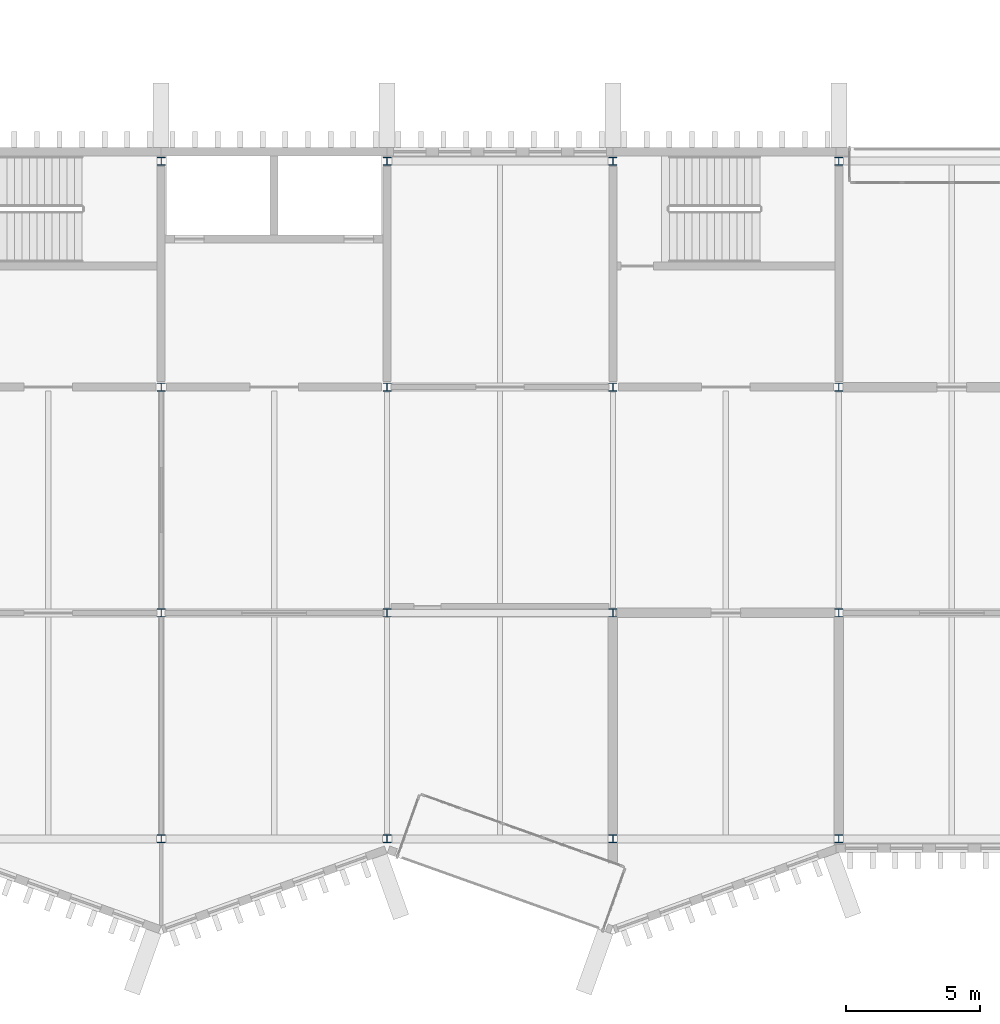
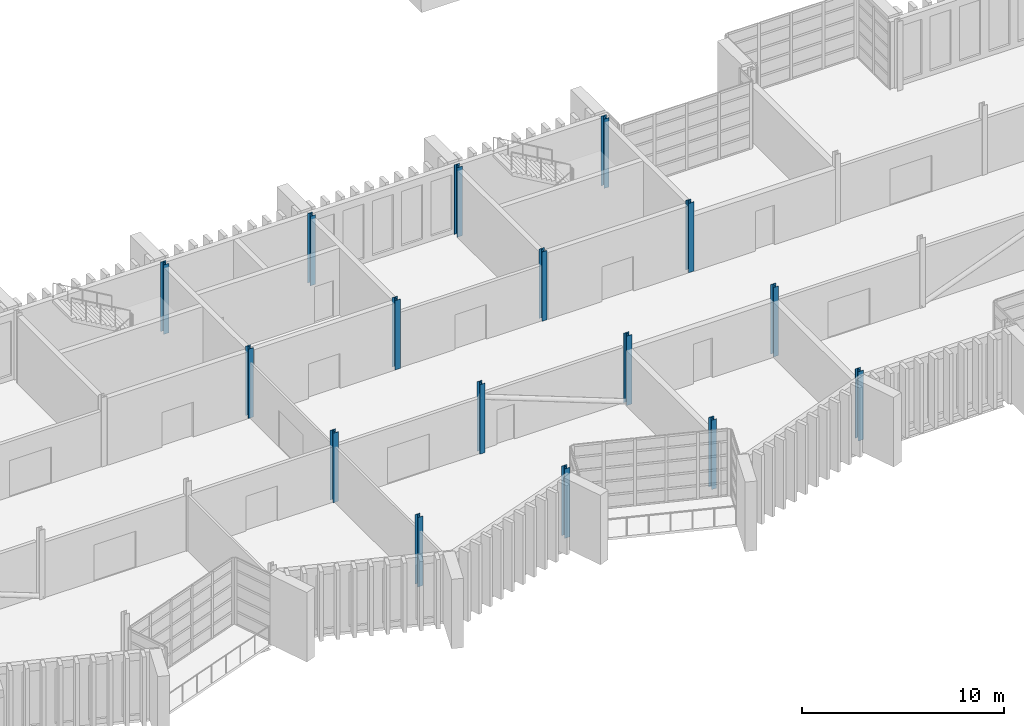
# One storey, part 2 of 100: 16 columns.
"""IFC4 building model written with IfcOpenShell, lengths in metres."""

from ifc_helpers import new_model, si_unit, direction, frame, origin, origin_2d, place, context, subcontext, project, spatial, i_section, extrude, material, material_profile, profile_set, type_object, element, save


model = new_model("IFC4")

# Units and contexts
model_context = context("Model", 3, precision=1e-05, world=origin(), true_north=direction((0.0, 1.0)))
body_context = subcontext(model_context, "Body", "Model", "MODEL_VIEW")
ifc_project = project(units=[si_unit("LENGTHUNIT", "METRE"), si_unit("AREAUNIT", "SQUARE_METRE"), si_unit("VOLUMEUNIT", "CUBIC_METRE"), si_unit("PLANEANGLEUNIT", "RADIAN"), si_unit("MASSUNIT", "GRAM", prefix="KILO")], contexts=[model_context])

# Site, building, storey
site_placement = place(None, origin())
site = spatial("IfcSite", under=ifc_project, at=site_placement, CompositionType="ELEMENT")
building_placement = place(site_placement, origin())
building = spatial("IfcBuilding", under=site, at=building_placement, Name="Cresset Court Congress Hotel", CompositionType="ELEMENT")
storey_placement = place(building_placement, frame((0.0, 0.0, 10.199951171875)))
storey = spatial("IfcBuildingStorey", under=building, at=storey_placement, Name="L02", CompositionType="ELEMENT", Elevation=10.199951171875)

# Columns
ifc_material = material(Name="Structural steel Q355B", Category="steel")
ifc_material_profile = material_profile(ifc_material, i_section(OverallWidth=0.300048828125, OverallDepth=0.300048828125, WebThickness=0.010009765625, FlangeThickness=0.014892578125, FilletRadius=0.012939453125, at=origin_2d()), Name="HW300x300x10x15")
ifc_profile_set = profile_set([ifc_material_profile], Name="Structural steel Q355B")
column_type = type_object("IfcColumnType", Name="Steel column HW300x300x10x15", PredefinedType="COLUMN", material=ifc_profile_set)
for number, where, z_axis, x_axis, name in (
    (1, (42.0, 0.0, 0.0), (0.0, 0.0, 1.0), (1.0, 0.0, 0.0), "B.col.L02.06A"),
    (2, (42.0, 8.39990234375, 0.0), (0.0, 0.0, 1.0), (1.0, 0.0, 0.0), "B.col.L02.06B"),
    (3, (42.0, 16.800048828125, 0.0), (0.0, 0.0, 1.0), (1.0, 0.0, 0.0), "B.col.L02.06C"),
    (4, (42.0, 25.199951171875, 0.0), (0.0, 0.0, 1.0), (1.0, 0.0, 0.0), "B.col.L02.06D"),
    (5, (50.39990234375, 0.0, 0.0), (0.0, 0.0, 1.0), (1.0, 0.0, 0.0), "B.col.L02.07A"),
    (6, (50.39990234375, 8.39990234375, 0.0), (0.0, 0.0, 1.0), (1.0, 0.0, 0.0), "B.col.L02.07B"),
    (7, (50.39990234375, 16.800048828125, 0.0), (0.0, 0.0, 1.0), (1.0, 0.0, 0.0), "B.col.L02.07C"),
    (8, (50.39990234375, 25.199951171875, 0.0), (0.0, 0.0, 1.0), (1.0, 0.0, 0.0), "B.col.L02.07D"),
    (9, (58.800048828125, 0.0, 0.0), (0.0, 0.0, 1.0), (1.0, 0.0, 0.0), "B.col.L02.08A"),
    (10, (58.800048828125, 8.39990234375, 0.0), (0.0, 0.0, 1.0), (1.0, 0.0, 0.0), "B.col.L02.08B"),
    (11, (58.800048828125, 16.800048828125, 0.0), (0.0, 0.0, 1.0), (1.0, 0.0, 0.0), "B.col.L02.08C"),
    (12, (58.800048828125, 25.199951171875, 0.0), (0.0, 0.0, 1.0), (1.0, 0.0, 0.0), "B.col.L02.08D"),
    (13, (67.199951171875, 0.0, 0.0), (0.0, 0.0, 1.0), (1.0, 0.0, 0.0), "B.col.L02.09A"),
    (14, (67.199951171875, 8.39990234375, 0.0), (0.0, 0.0, 1.0), (1.0, 0.0, 0.0), "B.col.L02.09B"),
    (15, (67.199951171875, 16.800048828125, 0.0), (0.0, 0.0, 1.0), (1.0, 0.0, 0.0), "B.col.L02.09C"),
    (16, (67.199951171875, 25.199951171875, 0.0), (0.0, 0.0, 1.0), (1.0, 0.0, 0.0), "B.col.L02.09D"),
):
    element("IfcColumn", number, at=place(storey_placement, frame(where, z_axis=z_axis, x_axis=x_axis)), inside=storey, type_object=column_type, Name=name, PredefinedType="COLUMN", context=body_context, shape_type="SweptSolid", body=[
        extrude(i_section(OverallWidth=0.300048828125, OverallDepth=0.300048828125, WebThickness=0.010009765625, FlangeThickness=0.014892578125, FilletRadius=0.012939453125, at=origin_2d()), origin(), (0.0, 0.0, 1.0), 4.199951171875),
    ])

save(model, "model.ifc")
